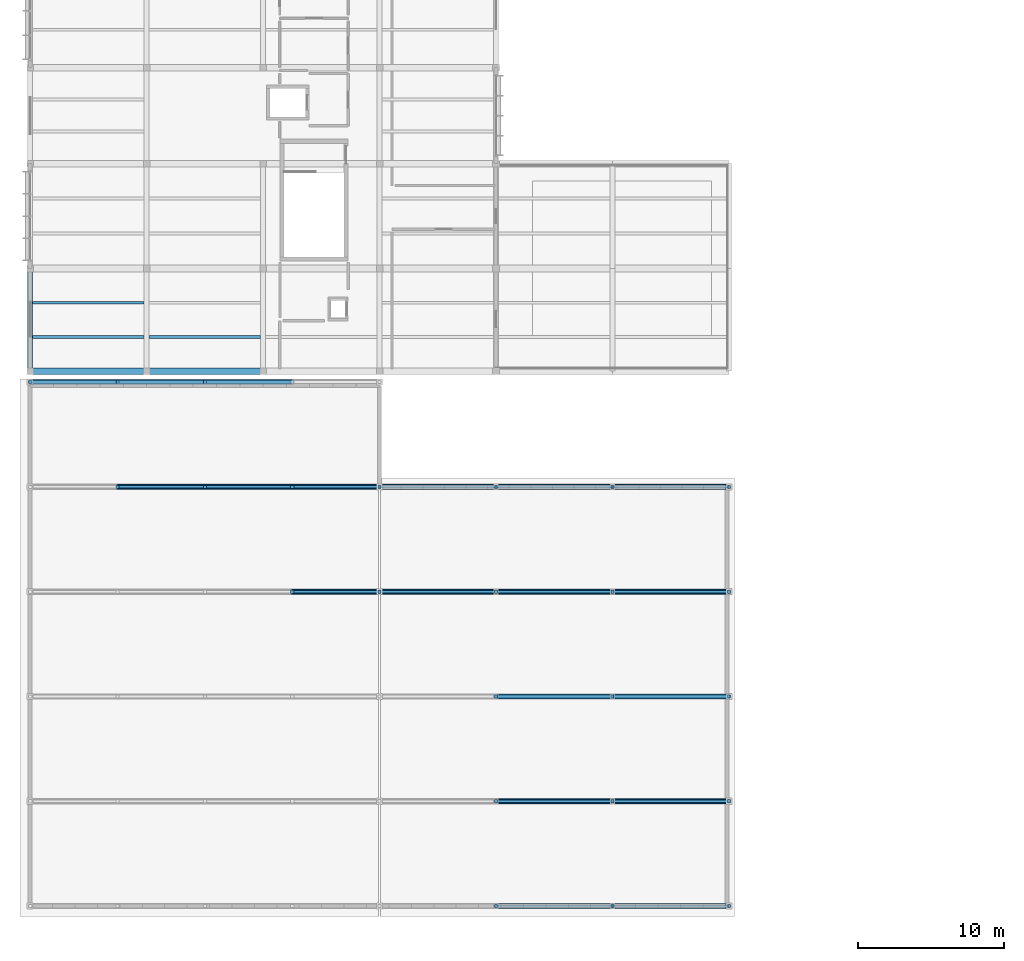
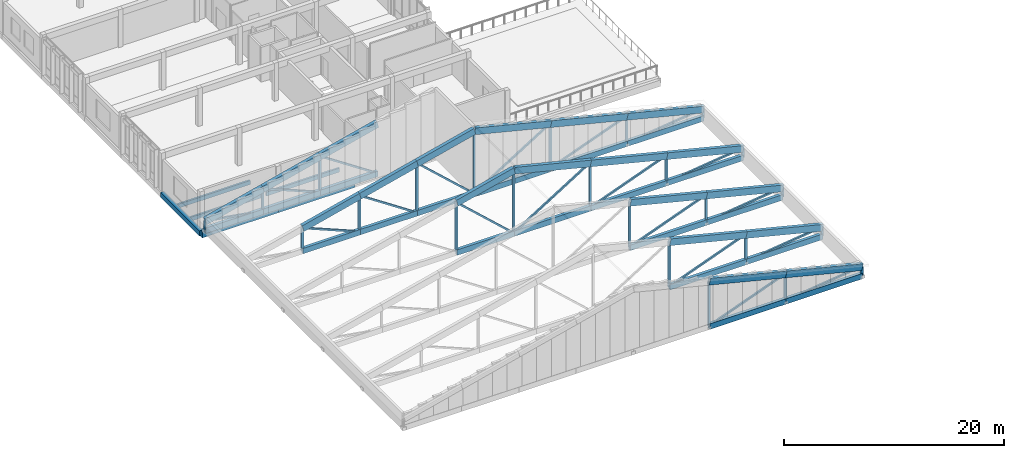
# One storey, part 6 of 107: 81 members, 6 beams.
"""IFC4 building model written with IfcOpenShell, lengths in metres."""

from ifc_helpers import new_model, si_unit, direction, frame, origin, origin_2d, place, context, subcontext, project, spatial, rectangle, extrude, material, material_profile, profile_set, type_object, element, save


model = new_model("IFC4")

# Units and contexts
model_context = context("Model", 3, precision=1e-05, world=origin(), true_north=direction((0.0, 1.0)))
body_context = subcontext(model_context, "Body", "Model", "MODEL_VIEW")
ifc_project = project(units=[si_unit("LENGTHUNIT", "METRE"), si_unit("AREAUNIT", "SQUARE_METRE"), si_unit("VOLUMEUNIT", "CUBIC_METRE"), si_unit("PLANEANGLEUNIT", "RADIAN"), si_unit("MASSUNIT", "GRAM", prefix="KILO")], contexts=[model_context])

# Site, building, storey
site_placement = place(None, origin())
site = spatial("IfcSite", under=ifc_project, at=site_placement, CompositionType="ELEMENT")
building_placement = place(site_placement, origin())
building = spatial("IfcBuilding", under=site, at=building_placement, Name="Chiffa Square Polytechnic", CompositionType="ELEMENT")
storey_placement = place(building_placement, frame((0.0, 0.0, 13.800048828125)))
storey = spatial("IfcBuildingStorey", under=building, at=storey_placement, Name="L03", CompositionType="ELEMENT", Elevation=13.800048828125)

# Beams
ifc_material_1 = material(Name="Concrete C35/45", Category="concrete")
ifc_material_profile_1 = material_profile(ifc_material_1, rectangle(XDim=0.35009765625, YDim=0.550048828125, at=origin_2d()), Name="RC 350x550")
ifc_profile_set_1 = profile_set([ifc_material_profile_1], Name="Concrete C35/45")
beam_type_1 = type_object("IfcBeamType", Name="BM-RC-350X550", PredefinedType="BEAM", material=ifc_profile_set_1)
beam_placement = place(storey_placement, frame((0.0, 36.75, -0.53515625), z_axis=(0.0, 1.0, 0.0), x_axis=(-1.0, 0.0, 0.0)))
element("IfcBeam", 1, at=beam_placement, inside=storey, type_object=beam_type_1, Name="Primary floor girder BM-V6-L03-Y-0000-0368", PredefinedType="BEAM", context=body_context, shape_type="SweptSolid", body=[
    extrude(rectangle(XDim=0.35009765625, YDim=0.550048828125, at=origin_2d()), origin(), (0.0, 0.0, 1.0), 7.050048828125),
])
ifc_material_profile_2 = material_profile(ifc_material_1, rectangle(XDim=0.449951171875, YDim=0.699951171875, at=origin_2d()), Name="RC 450x700")
ifc_profile_set_2 = profile_set([ifc_material_profile_2], Name="Concrete C35/45")
beam_type_2 = type_object("IfcBeamType", Name="BM-RC-450X700", PredefinedType="BEAM", material=ifc_profile_set_2)
for number, where, z_axis, x_axis, name in (
    (2, (0.0, 36.75, -0.610107421875), (1.0, 0.0, 0.0), (0.0, 1.0, 0.0), "Primary floor girder BM-V6-L03-X-0000-0368"),
    (3, (8.0, 36.75, -0.610107421875), (1.0, 0.0, 0.0), (0.0, 1.0, 0.0), "Primary floor girder BM-V6-L03-X-0080-0368"),
):
    element("IfcBeam", number, at=place(storey_placement, frame(where, z_axis=z_axis, x_axis=x_axis)), inside=storey, type_object=beam_type_2, Name=name, PredefinedType="BEAM", context=body_context, shape_type="SweptSolid", body=[
        extrude(rectangle(XDim=0.449951171875, YDim=0.699951171875, at=origin_2d()), origin(), (0.0, 0.0, 1.0), 8.0),
    ])
ifc_material_2 = material(Name="Glulam GL28h", Category="wood")
ifc_material_profile_3 = material_profile(ifc_material_2, rectangle(XDim=0.199951171875, YDim=0.43994140625, at=origin_2d()), Name="GL28h 200x440")
ifc_profile_set_3 = profile_set([ifc_material_profile_3], Name="Glulam GL28h")
beam_type_3 = type_object("IfcBeamType", Name="JST-GL-200X440", PredefinedType="JOIST", material=ifc_profile_set_3)
for number, where, z_axis, x_axis, name in (
    (4, (0.173095703125, 39.10009765625, -0.47998046875), (1.0, 0.0, 0.0), (0.0, 1.0, 0.0), "Secondary floor joist JST-V6-L03-0000-0391"),
    (5, (0.173095703125, 41.449951171875, -0.47998046875), (1.0, 0.0, 0.0), (0.0, 1.0, 0.0), "Secondary floor joist JST-V6-L03-0000-0414"),
    (6, (8.173095703125, 39.10009765625, -0.47998046875), (1.0, 0.0, 0.0), (0.0, 1.0, 0.0), "Secondary floor joist JST-V6-L03-0080-0391"),
):
    element("IfcBeam", number, at=place(storey_placement, frame(where, z_axis=z_axis, x_axis=x_axis)), inside=storey, type_object=beam_type_3, Name=name, PredefinedType="JOIST", context=body_context, shape_type="SweptSolid", body=[
        extrude(rectangle(XDim=0.199951171875, YDim=0.43994140625, at=origin_2d()), origin(), (0.0, 0.0, 1.0), 7.65380859375),
    ])

# Members
ifc_material_3 = material(Name="Glulam GL32c", Category="wood")
ifc_material_profile_4 = material_profile(ifc_material_3, rectangle(XDim=0.320068359375, YDim=0.60009765625, at=origin_2d()), Name="GL32c 320x600")
ifc_profile_set_4 = profile_set([ifc_material_profile_4], Name="Glulam GL32c")
member_type_1 = type_object("IfcMemberType", Name="MEM-CHORD-GL320", PredefinedType="CHORD", material=ifc_profile_set_4)
for number, where, z_axis, x_axis, name in (
    (7, (32.0, 0.0, 0.25), (1.0, 0.0, 0.0), (0.0, 1.0, 0.0), "Symposium glulam truss bottom chord TCB-V3-E01-2"),
    (8, (40.0, 0.0, 0.25), (1.0, 0.0, 0.0), (0.0, 1.0, 0.0), "Symposium glulam truss bottom chord TCB-V3-E01-3"),
    (9, (32.0, 7.199951171875, 0.25), (1.0, 0.0, 0.0), (0.0, 1.0, 0.0), "Symposium glulam truss bottom chord TCB-V3-E02-2"),
    (10, (40.0, 7.199951171875, 0.25), (1.0, 0.0, 0.0), (0.0, 1.0, 0.0), "Symposium glulam truss bottom chord TCB-V3-E02-3"),
    (11, (32.0, 14.39990234375, 0.25), (1.0, 0.0, 0.0), (0.0, 1.0, 0.0), "Symposium glulam truss bottom chord TCB-V3-E03-2"),
    (12, (40.0, 14.39990234375, 0.25), (1.0, 0.0, 0.0), (0.0, 1.0, 0.0), "Symposium glulam truss bottom chord TCB-V3-E03-3"),
):
    element("IfcMember", number, at=place(storey_placement, frame(where, z_axis=z_axis, x_axis=x_axis)), inside=storey, type_object=member_type_1, Name=name, PredefinedType="CHORD", context=body_context, shape_type="SweptSolid", body=[
        extrude(rectangle(XDim=0.320068359375, YDim=0.60009765625, at=origin_2d()), origin(), (0.0, 0.0, 1.0), 8.0),
    ])
member_1_placement = place(storey_placement, frame((18.0, 21.60009765625, 0.25), z_axis=(1.0, 0.0, 0.0), x_axis=(0.0, 1.0, 0.0)))
element("IfcMember", 13, at=member_1_placement, inside=storey, type_object=member_type_1, Name="Lecture glulam truss bottom chord TCB-V3-W04-4", PredefinedType="CHORD", context=body_context, shape_type="SweptSolid", body=[
    extrude(rectangle(XDim=0.320068359375, YDim=0.60009765625, at=origin_2d()), origin(), (0.0, 0.0, 1.0), 6.0),
])
for number, where, z_axis, x_axis, name in (
    (14, (24.0, 21.60009765625, 0.25), (1.0, 0.0, 0.0), (0.0, 1.0, 0.0), "Symposium glulam truss bottom chord TCB-V3-E04-1"),
    (15, (32.0, 21.60009765625, 0.25), (1.0, 0.0, 0.0), (0.0, 1.0, 0.0), "Symposium glulam truss bottom chord TCB-V3-E04-2"),
    (16, (40.0, 21.60009765625, 0.25), (1.0, 0.0, 0.0), (0.0, 1.0, 0.0), "Symposium glulam truss bottom chord TCB-V3-E04-3"),
):
    element("IfcMember", number, at=place(storey_placement, frame(where, z_axis=z_axis, x_axis=x_axis)), inside=storey, type_object=member_type_1, Name=name, PredefinedType="CHORD", context=body_context, shape_type="SweptSolid", body=[
        extrude(rectangle(XDim=0.320068359375, YDim=0.60009765625, at=origin_2d()), origin(), (0.0, 0.0, 1.0), 8.0),
    ])
for number, where, z_axis, x_axis, name in (
    (17, (6.0, 28.800048828125, 0.25), (1.0, 0.0, 0.0), (0.0, 1.0, 0.0), "Lecture glulam truss bottom chord TCB-V3-W05-2"),
    (18, (12.0, 28.800048828125, 0.25), (1.0, 0.0, 0.0), (0.0, 1.0, 0.0), "Lecture glulam truss bottom chord TCB-V3-W05-3"),
    (19, (18.0, 28.800048828125, 0.25), (1.0, 0.0, 0.0), (0.0, 1.0, 0.0), "Lecture glulam truss bottom chord TCB-V3-W05-4"),
):
    element("IfcMember", number, at=place(storey_placement, frame(where, z_axis=z_axis, x_axis=x_axis)), inside=storey, type_object=member_type_1, Name=name, PredefinedType="CHORD", context=body_context, shape_type="SweptSolid", body=[
        extrude(rectangle(XDim=0.320068359375, YDim=0.60009765625, at=origin_2d()), origin(), (0.0, 0.0, 1.0), 6.0),
    ])
for number, where, z_axis, x_axis, name in (
    (20, (24.0, 28.800048828125, 0.25), (1.0, 0.0, 0.0), (0.0, 1.0, 0.0), "Symposium glulam truss bottom chord TCB-V3-E05-1"),
    (21, (32.0, 28.800048828125, 0.25), (1.0, 0.0, 0.0), (0.0, 1.0, 0.0), "Symposium glulam truss bottom chord TCB-V3-E05-2"),
    (22, (40.0, 28.800048828125, 0.25), (1.0, 0.0, 0.0), (0.0, 1.0, 0.0), "Symposium glulam truss bottom chord TCB-V3-E05-3"),
):
    element("IfcMember", number, at=place(storey_placement, frame(where, z_axis=z_axis, x_axis=x_axis)), inside=storey, type_object=member_type_1, Name=name, PredefinedType="CHORD", context=body_context, shape_type="SweptSolid", body=[
        extrude(rectangle(XDim=0.320068359375, YDim=0.60009765625, at=origin_2d()), origin(), (0.0, 0.0, 1.0), 8.0),
    ])
for number, where, z_axis, x_axis, name in (
    (23, (0.0, 36.0, 0.25), (1.0, 0.0, 0.0), (0.0, 1.0, 0.0), "Lecture glulam truss bottom chord TCB-V3-W06-1"),
    (24, (6.0, 36.0, 0.25), (1.0, 0.0, 0.0), (0.0, 1.0, 0.0), "Lecture glulam truss bottom chord TCB-V3-W06-2"),
    (25, (12.0, 36.0, 0.25), (1.0, 0.0, 0.0), (0.0, 1.0, 0.0), "Lecture glulam truss bottom chord TCB-V3-W06-3"),
):
    element("IfcMember", number, at=place(storey_placement, frame(where, z_axis=z_axis, x_axis=x_axis)), inside=storey, type_object=member_type_1, Name=name, PredefinedType="CHORD", context=body_context, shape_type="SweptSolid", body=[
        extrude(rectangle(XDim=0.320068359375, YDim=0.60009765625, at=origin_2d()), origin(), (0.0, 0.0, 1.0), 6.0),
    ])
ifc_material_profile_5 = material_profile(ifc_material_3, rectangle(XDim=0.360107421875, YDim=0.719970703125, at=origin_2d()), Name="GL32c 360x720")
ifc_profile_set_5 = profile_set([ifc_material_profile_5], Name="Glulam GL32c")
member_type_2 = type_object("IfcMemberType", Name="MEM-CHORD-GL360", PredefinedType="CHORD", material=ifc_profile_set_5)
for number, where, z_axis, x_axis, name in (
    (26, (32.0, 0.0, 5.239013671875), (0.970309487424, 0.0, -0.241866695962), (0.0, 1.0, 0.0), "Symposium glulam truss top chord TCT-V3-E01-2"),
    (27, (40.0, 0.0, 3.244873046875), (0.970288636097, 0.0, -0.24195033098), (0.0, 1.0, 0.0), "Symposium glulam truss top chord TCT-V3-E01-3"),
    (28, (32.0, 7.199951171875, 5.239013671875), (0.970309487424, 0.0, -0.241866695962), (0.0, 1.0, 0.0), "Symposium glulam truss top chord TCT-V3-E02-2"),
    (29, (40.0, 7.199951171875, 3.244873046875), (0.970288636097, 0.0, -0.24195033098), (0.0, 1.0, 0.0), "Symposium glulam truss top chord TCT-V3-E02-3"),
    (30, (32.0, 14.39990234375, 5.239013671875), (0.970309487424, 0.0, -0.241866695962), (0.0, 1.0, 0.0), "Symposium glulam truss top chord TCT-V3-E03-2"),
    (31, (40.0, 14.39990234375, 3.244873046875), (0.970288636097, 0.0, -0.24195033098), (0.0, 1.0, 0.0), "Symposium glulam truss top chord TCT-V3-E03-3"),
):
    element("IfcMember", number, at=place(storey_placement, frame(where, z_axis=z_axis, x_axis=x_axis)), inside=storey, type_object=member_type_2, Name=name, PredefinedType="CHORD", context=body_context, shape_type="SweptSolid", body=[
        extrude(rectangle(XDim=0.360107421875, YDim=0.719970703125, at=origin_2d()), origin(), (0.0, 0.0, 1.0), 8.244873046875),
    ])
member_2_placement = place(storey_placement, frame((18.0, 21.60009765625, 5.738037109375), z_axis=(0.970300220947, 0.0, 0.241903867747), x_axis=(0.0, 1.0, 0.0)))
element("IfcMember", 32, at=member_2_placement, inside=storey, type_object=member_type_2, Name="Lecture glulam truss top chord TCT-V3-W04-4", PredefinedType="CHORD", context=body_context, shape_type="SweptSolid", body=[
    extrude(rectangle(XDim=0.360107421875, YDim=0.719970703125, at=origin_2d()), origin(), (0.0, 0.0, 1.0), 6.18359375),
])
for number, where, z_axis, x_axis, name in (
    (33, (24.0, 21.60009765625, 7.23388671875), (0.970288636097, 0.0, -0.24195033098), (0.0, 1.0, 0.0), "Symposium glulam truss top chord TCT-V3-E04-1"),
    (34, (32.0, 21.60009765625, 5.239013671875), (0.970309487424, 0.0, -0.241866695962), (0.0, 1.0, 0.0), "Symposium glulam truss top chord TCT-V3-E04-2"),
    (35, (40.0, 21.60009765625, 3.244873046875), (0.970288636097, 0.0, -0.24195033098), (0.0, 1.0, 0.0), "Symposium glulam truss top chord TCT-V3-E04-3"),
):
    element("IfcMember", number, at=place(storey_placement, frame(where, z_axis=z_axis, x_axis=x_axis)), inside=storey, type_object=member_type_2, Name=name, PredefinedType="CHORD", context=body_context, shape_type="SweptSolid", body=[
        extrude(rectangle(XDim=0.360107421875, YDim=0.719970703125, at=origin_2d()), origin(), (0.0, 0.0, 1.0), 8.244873046875),
    ])
for number, where, z_axis, x_axis, name in (
    (36, (6.0, 28.800048828125, 2.745849609375), (0.970290953223, 0.0, 0.241941038466), (0.0, 1.0, 0.0), "Lecture glulam truss top chord TCT-V3-W05-2"),
    (37, (12.0, 28.800048828125, 4.241943359375), (0.970290953223, 0.0, 0.241941038466), (0.0, 1.0, 0.0), "Lecture glulam truss top chord TCT-V3-W05-3"),
    (38, (18.0, 28.800048828125, 5.738037109375), (0.970300220947, 0.0, 0.241903867747), (0.0, 1.0, 0.0), "Lecture glulam truss top chord TCT-V3-W05-4"),
):
    element("IfcMember", number, at=place(storey_placement, frame(where, z_axis=z_axis, x_axis=x_axis)), inside=storey, type_object=member_type_2, Name=name, PredefinedType="CHORD", context=body_context, shape_type="SweptSolid", body=[
        extrude(rectangle(XDim=0.360107421875, YDim=0.719970703125, at=origin_2d()), origin(), (0.0, 0.0, 1.0), 6.18359375),
    ])
for number, where, z_axis, x_axis, name in (
    (39, (24.0, 28.800048828125, 7.23388671875), (0.970288636097, 0.0, -0.24195033098), (0.0, 1.0, 0.0), "Symposium glulam truss top chord TCT-V3-E05-1"),
    (40, (32.0, 28.800048828125, 5.239013671875), (0.970309487424, 0.0, -0.241866695962), (0.0, 1.0, 0.0), "Symposium glulam truss top chord TCT-V3-E05-2"),
    (41, (40.0, 28.800048828125, 3.244873046875), (0.970288636097, 0.0, -0.24195033098), (0.0, 1.0, 0.0), "Symposium glulam truss top chord TCT-V3-E05-3"),
):
    element("IfcMember", number, at=place(storey_placement, frame(where, z_axis=z_axis, x_axis=x_axis)), inside=storey, type_object=member_type_2, Name=name, PredefinedType="CHORD", context=body_context, shape_type="SweptSolid", body=[
        extrude(rectangle(XDim=0.360107421875, YDim=0.719970703125, at=origin_2d()), origin(), (0.0, 0.0, 1.0), 8.244873046875),
    ])
for number, where, z_axis, x_axis, name in (
    (42, (0.0, 36.0, 1.25), (0.970300220947, 0.0, 0.241903867747), (0.0, 1.0, 0.0), "Lecture glulam truss top chord TCT-V3-W06-1"),
    (43, (6.0, 36.0, 2.745849609375), (0.970290953223, 0.0, 0.241941038466), (0.0, 1.0, 0.0), "Lecture glulam truss top chord TCT-V3-W06-2"),
    (44, (12.0, 36.0, 4.241943359375), (0.970290953223, 0.0, 0.241941038466), (0.0, 1.0, 0.0), "Lecture glulam truss top chord TCT-V3-W06-3"),
):
    element("IfcMember", number, at=place(storey_placement, frame(where, z_axis=z_axis, x_axis=x_axis)), inside=storey, type_object=member_type_2, Name=name, PredefinedType="CHORD", context=body_context, shape_type="SweptSolid", body=[
        extrude(rectangle(XDim=0.360107421875, YDim=0.719970703125, at=origin_2d()), origin(), (0.0, 0.0, 1.0), 6.18359375),
    ])
ifc_material_profile_6 = material_profile(ifc_material_2, rectangle(XDim=0.179931640625, YDim=0.179931640625, at=origin_2d()), Name="GL28h 180x180")
ifc_profile_set_6 = profile_set([ifc_material_profile_6], Name="Glulam GL28h")
member_type_3 = type_object("IfcMemberType", Name="MEM-WEB-GL180", PredefinedType="MEMBER", material=ifc_profile_set_6)
member_3_placement = place(storey_placement, frame((32.0, 0.0, 0.25), z_axis=(0.93652635273, 0.0, 0.350597191435), x_axis=(0.0, 1.0, 0.0)))
element("IfcMember", 45, at=member_3_placement, inside=storey, type_object=member_type_3, Name="Symposium glulam truss diagonal TWD-V3-E01-2", PredefinedType="MEMBER", context=body_context, shape_type="SweptSolid", body=[
    extrude(rectangle(XDim=0.179931640625, YDim=0.179931640625, at=origin_2d()), origin(), (0.0, 0.0, 1.0), 8.542236328125),
])
member_4_placement = place(storey_placement, frame((40.0, 0.0, 0.25), z_axis=(0.992277876714, 0.0, 0.124034734589), x_axis=(0.0, 1.0, 0.0)))
element("IfcMember", 46, at=member_4_placement, inside=storey, type_object=member_type_3, Name="Symposium glulam truss diagonal TWD-V3-E01-3", PredefinedType="MEMBER", context=body_context, shape_type="SweptSolid", body=[
    extrude(rectangle(XDim=0.179931640625, YDim=0.179931640625, at=origin_2d()), origin(), (0.0, 0.0, 1.0), 8.062255859375),
])
member_5_placement = place(storey_placement, frame((32.0, 7.199951171875, 0.25), z_axis=(0.93652635273, 0.0, 0.350597191435), x_axis=(0.0, 1.0, 0.0)))
element("IfcMember", 47, at=member_5_placement, inside=storey, type_object=member_type_3, Name="Symposium glulam truss diagonal TWD-V3-E02-2", PredefinedType="MEMBER", context=body_context, shape_type="SweptSolid", body=[
    extrude(rectangle(XDim=0.179931640625, YDim=0.179931640625, at=origin_2d()), origin(), (0.0, 0.0, 1.0), 8.542236328125),
])
member_6_placement = place(storey_placement, frame((40.0, 7.199951171875, 0.25), z_axis=(0.992277876714, 0.0, 0.124034734589), x_axis=(0.0, 1.0, 0.0)))
element("IfcMember", 48, at=member_6_placement, inside=storey, type_object=member_type_3, Name="Symposium glulam truss diagonal TWD-V3-E02-3", PredefinedType="MEMBER", context=body_context, shape_type="SweptSolid", body=[
    extrude(rectangle(XDim=0.179931640625, YDim=0.179931640625, at=origin_2d()), origin(), (0.0, 0.0, 1.0), 8.062255859375),
])
member_7_placement = place(storey_placement, frame((32.0, 14.39990234375, 0.25), z_axis=(0.93652635273, 0.0, 0.350597191435), x_axis=(0.0, 1.0, 0.0)))
element("IfcMember", 49, at=member_7_placement, inside=storey, type_object=member_type_3, Name="Symposium glulam truss diagonal TWD-V3-E03-2", PredefinedType="MEMBER", context=body_context, shape_type="SweptSolid", body=[
    extrude(rectangle(XDim=0.179931640625, YDim=0.179931640625, at=origin_2d()), origin(), (0.0, 0.0, 1.0), 8.542236328125),
])
member_8_placement = place(storey_placement, frame((40.0, 14.39990234375, 0.25), z_axis=(0.992277876714, 0.0, 0.124034734589), x_axis=(0.0, 1.0, 0.0)))
element("IfcMember", 50, at=member_8_placement, inside=storey, type_object=member_type_3, Name="Symposium glulam truss diagonal TWD-V3-E03-3", PredefinedType="MEMBER", context=body_context, shape_type="SweptSolid", body=[
    extrude(rectangle(XDim=0.179931640625, YDim=0.179931640625, at=origin_2d()), origin(), (0.0, 0.0, 1.0), 8.062255859375),
])
member_9_placement = place(storey_placement, frame((18.0, 21.60009765625, 5.738037109375), z_axis=(0.737886535489, 0.0, -0.674924781545), x_axis=(0.0, 1.0, 0.0)))
element("IfcMember", 51, at=member_9_placement, inside=storey, type_object=member_type_3, Name="Lecture glulam truss diagonal TWD-V3-W04-4", PredefinedType="MEMBER", context=body_context, shape_type="SweptSolid", body=[
    extrude(rectangle(XDim=0.179931640625, YDim=0.179931640625, at=origin_2d()), origin(), (0.0, 0.0, 1.0), 8.13134765625),
])
member_10_placement = place(storey_placement, frame((24.0, 21.60009765625, 0.25), z_axis=(0.848521605549, 0.0, 0.529160736371), x_axis=(0.0, 1.0, 0.0)))
element("IfcMember", 52, at=member_10_placement, inside=storey, type_object=member_type_3, Name="Symposium glulam truss diagonal TWD-V3-E04-1", PredefinedType="MEMBER", context=body_context, shape_type="SweptSolid", body=[
    extrude(rectangle(XDim=0.179931640625, YDim=0.179931640625, at=origin_2d()), origin(), (0.0, 0.0, 1.0), 9.42822265625),
])
member_11_placement = place(storey_placement, frame((32.0, 21.60009765625, 0.25), z_axis=(0.93652635273, 0.0, 0.350597191435), x_axis=(0.0, 1.0, 0.0)))
element("IfcMember", 53, at=member_11_placement, inside=storey, type_object=member_type_3, Name="Symposium glulam truss diagonal TWD-V3-E04-2", PredefinedType="MEMBER", context=body_context, shape_type="SweptSolid", body=[
    extrude(rectangle(XDim=0.179931640625, YDim=0.179931640625, at=origin_2d()), origin(), (0.0, 0.0, 1.0), 8.542236328125),
])
member_12_placement = place(storey_placement, frame((40.0, 21.60009765625, 0.25), z_axis=(0.992277876714, 0.0, 0.124034734589), x_axis=(0.0, 1.0, 0.0)))
element("IfcMember", 54, at=member_12_placement, inside=storey, type_object=member_type_3, Name="Symposium glulam truss diagonal TWD-V3-E04-3", PredefinedType="MEMBER", context=body_context, shape_type="SweptSolid", body=[
    extrude(rectangle(XDim=0.179931640625, YDim=0.179931640625, at=origin_2d()), origin(), (0.0, 0.0, 1.0), 8.062255859375),
])
member_13_placement = place(storey_placement, frame((6.0, 28.800048828125, 2.745849609375), z_axis=(0.923303512379, 0.0, -0.384071118451), x_axis=(0.0, 1.0, 0.0)))
element("IfcMember", 55, at=member_13_placement, inside=storey, type_object=member_type_3, Name="Lecture glulam truss diagonal TWD-V3-W05-2", PredefinedType="MEMBER", context=body_context, shape_type="SweptSolid", body=[
    extrude(rectangle(XDim=0.179931640625, YDim=0.179931640625, at=origin_2d()), origin(), (0.0, 0.0, 1.0), 6.498291015625),
])
member_14_placement = place(storey_placement, frame((12.0, 28.800048828125, 4.241943359375), z_axis=(0.83256591009, 0.0, -0.553925992671), x_axis=(0.0, 1.0, 0.0)))
element("IfcMember", 56, at=member_14_placement, inside=storey, type_object=member_type_3, Name="Lecture glulam truss diagonal TWD-V3-W05-3", PredefinedType="MEMBER", context=body_context, shape_type="SweptSolid", body=[
    extrude(rectangle(XDim=0.179931640625, YDim=0.179931640625, at=origin_2d()), origin(), (0.0, 0.0, 1.0), 7.20654296875),
])
member_15_placement = place(storey_placement, frame((18.0, 28.800048828125, 5.738037109375), z_axis=(0.737886535489, 0.0, -0.674924781545), x_axis=(0.0, 1.0, 0.0)))
element("IfcMember", 57, at=member_15_placement, inside=storey, type_object=member_type_3, Name="Lecture glulam truss diagonal TWD-V3-W05-4", PredefinedType="MEMBER", context=body_context, shape_type="SweptSolid", body=[
    extrude(rectangle(XDim=0.179931640625, YDim=0.179931640625, at=origin_2d()), origin(), (0.0, 0.0, 1.0), 8.13134765625),
])
member_16_placement = place(storey_placement, frame((24.0, 28.800048828125, 0.25), z_axis=(0.848521605549, 0.0, 0.529160736371), x_axis=(0.0, 1.0, 0.0)))
element("IfcMember", 58, at=member_16_placement, inside=storey, type_object=member_type_3, Name="Symposium glulam truss diagonal TWD-V3-E05-1", PredefinedType="MEMBER", context=body_context, shape_type="SweptSolid", body=[
    extrude(rectangle(XDim=0.179931640625, YDim=0.179931640625, at=origin_2d()), origin(), (0.0, 0.0, 1.0), 9.42822265625),
])
member_17_placement = place(storey_placement, frame((32.0, 28.800048828125, 0.25), z_axis=(0.93652635273, 0.0, 0.350597191435), x_axis=(0.0, 1.0, 0.0)))
element("IfcMember", 59, at=member_17_placement, inside=storey, type_object=member_type_3, Name="Symposium glulam truss diagonal TWD-V3-E05-2", PredefinedType="MEMBER", context=body_context, shape_type="SweptSolid", body=[
    extrude(rectangle(XDim=0.179931640625, YDim=0.179931640625, at=origin_2d()), origin(), (0.0, 0.0, 1.0), 8.542236328125),
])
member_18_placement = place(storey_placement, frame((40.0, 28.800048828125, 0.25), z_axis=(0.992277876714, 0.0, 0.124034734589), x_axis=(0.0, 1.0, 0.0)))
element("IfcMember", 60, at=member_18_placement, inside=storey, type_object=member_type_3, Name="Symposium glulam truss diagonal TWD-V3-E05-3", PredefinedType="MEMBER", context=body_context, shape_type="SweptSolid", body=[
    extrude(rectangle(XDim=0.179931640625, YDim=0.179931640625, at=origin_2d()), origin(), (0.0, 0.0, 1.0), 8.062255859375),
])
member_19_placement = place(storey_placement, frame((0.0, 36.0, 1.25), z_axis=(0.986393923832, 0.0, -0.164398987305), x_axis=(0.0, 1.0, 0.0)))
element("IfcMember", 61, at=member_19_placement, inside=storey, type_object=member_type_3, Name="Lecture glulam truss diagonal TWD-V3-W06-1", PredefinedType="MEMBER", context=body_context, shape_type="SweptSolid", body=[
    extrude(rectangle(XDim=0.179931640625, YDim=0.179931640625, at=origin_2d()), origin(), (0.0, 0.0, 1.0), 6.082763671875),
])
member_20_placement = place(storey_placement, frame((6.0, 36.0, 2.745849609375), z_axis=(0.923303512379, 0.0, -0.384071118451), x_axis=(0.0, 1.0, 0.0)))
element("IfcMember", 62, at=member_20_placement, inside=storey, type_object=member_type_3, Name="Lecture glulam truss diagonal TWD-V3-W06-2", PredefinedType="MEMBER", context=body_context, shape_type="SweptSolid", body=[
    extrude(rectangle(XDim=0.179931640625, YDim=0.179931640625, at=origin_2d()), origin(), (0.0, 0.0, 1.0), 6.498291015625),
])
member_21_placement = place(storey_placement, frame((12.0, 36.0, 4.241943359375), z_axis=(0.83256591009, 0.0, -0.553925992671), x_axis=(0.0, 1.0, 0.0)))
element("IfcMember", 63, at=member_21_placement, inside=storey, type_object=member_type_3, Name="Lecture glulam truss diagonal TWD-V3-W06-3", PredefinedType="MEMBER", context=body_context, shape_type="SweptSolid", body=[
    extrude(rectangle(XDim=0.179931640625, YDim=0.179931640625, at=origin_2d()), origin(), (0.0, 0.0, 1.0), 7.20654296875),
])
ifc_material_profile_7 = material_profile(ifc_material_2, rectangle(XDim=0.219970703125, YDim=0.219970703125, at=origin_2d()), Name="GL28h 220x220")
ifc_profile_set_7 = profile_set([ifc_material_profile_7], Name="Glulam GL28h")
member_type_4 = type_object("IfcMemberType", Name="MEM-WEB-GL220", PredefinedType="MEMBER", material=ifc_profile_set_7)
member_22_placement = place(storey_placement, frame((32.0, 0.0, 0.25), z_axis=(0.0, 0.0, 1.0), x_axis=(1.0, 0.0, 0.0)))
element("IfcMember", 64, at=member_22_placement, inside=storey, type_object=member_type_4, Name="Symposium glulam truss vertical TWV-V3-E01-2", PredefinedType="MEMBER", context=body_context, shape_type="SweptSolid", body=[
    extrude(rectangle(XDim=0.219970703125, YDim=0.219970703125, at=origin_2d()), origin(), (0.0, 0.0, 1.0), 4.989013671875),
])
member_23_placement = place(storey_placement, frame((40.0, 0.0, 0.25), z_axis=(0.0, 0.0, 1.0), x_axis=(1.0, 0.0, 0.0)))
element("IfcMember", 65, at=member_23_placement, inside=storey, type_object=member_type_4, Name="Symposium glulam truss vertical TWV-V3-E01-3", PredefinedType="MEMBER", context=body_context, shape_type="SweptSolid", body=[
    extrude(rectangle(XDim=0.219970703125, YDim=0.219970703125, at=origin_2d()), origin(), (0.0, 0.0, 1.0), 2.994873046875),
])
member_24_placement = place(storey_placement, frame((48.0, 0.0, 0.25), z_axis=(0.0, 0.0, 1.0), x_axis=(1.0, 0.0, 0.0)))
element("IfcMember", 66, at=member_24_placement, inside=storey, type_object=member_type_4, Name="Symposium glulam truss vertical TWV-V3-E01-4", PredefinedType="MEMBER", context=body_context, shape_type="SweptSolid", body=[
    extrude(rectangle(XDim=0.219970703125, YDim=0.219970703125, at=origin_2d()), origin(), (0.0, 0.0, 1.0), 1.0),
])
member_25_placement = place(storey_placement, frame((32.0, 7.199951171875, 0.25), z_axis=(0.0, 0.0, 1.0), x_axis=(1.0, 0.0, 0.0)))
element("IfcMember", 67, at=member_25_placement, inside=storey, type_object=member_type_4, Name="Symposium glulam truss vertical TWV-V3-E02-2", PredefinedType="MEMBER", context=body_context, shape_type="SweptSolid", body=[
    extrude(rectangle(XDim=0.219970703125, YDim=0.219970703125, at=origin_2d()), origin(), (0.0, 0.0, 1.0), 4.989013671875),
])
member_26_placement = place(storey_placement, frame((40.0, 7.199951171875, 0.25), z_axis=(0.0, 0.0, 1.0), x_axis=(1.0, 0.0, 0.0)))
element("IfcMember", 68, at=member_26_placement, inside=storey, type_object=member_type_4, Name="Symposium glulam truss vertical TWV-V3-E02-3", PredefinedType="MEMBER", context=body_context, shape_type="SweptSolid", body=[
    extrude(rectangle(XDim=0.219970703125, YDim=0.219970703125, at=origin_2d()), origin(), (0.0, 0.0, 1.0), 2.994873046875),
])
member_27_placement = place(storey_placement, frame((48.0, 7.199951171875, 0.25), z_axis=(0.0, 0.0, 1.0), x_axis=(1.0, 0.0, 0.0)))
element("IfcMember", 69, at=member_27_placement, inside=storey, type_object=member_type_4, Name="Symposium glulam truss vertical TWV-V3-E02-4", PredefinedType="MEMBER", context=body_context, shape_type="SweptSolid", body=[
    extrude(rectangle(XDim=0.219970703125, YDim=0.219970703125, at=origin_2d()), origin(), (0.0, 0.0, 1.0), 1.0),
])
member_28_placement = place(storey_placement, frame((32.0, 14.39990234375, 0.25), z_axis=(0.0, 0.0, 1.0), x_axis=(1.0, 0.0, 0.0)))
element("IfcMember", 70, at=member_28_placement, inside=storey, type_object=member_type_4, Name="Symposium glulam truss vertical TWV-V3-E03-2", PredefinedType="MEMBER", context=body_context, shape_type="SweptSolid", body=[
    extrude(rectangle(XDim=0.219970703125, YDim=0.219970703125, at=origin_2d()), origin(), (0.0, 0.0, 1.0), 4.989013671875),
])
member_29_placement = place(storey_placement, frame((40.0, 14.39990234375, 0.25), z_axis=(0.0, 0.0, 1.0), x_axis=(1.0, 0.0, 0.0)))
element("IfcMember", 71, at=member_29_placement, inside=storey, type_object=member_type_4, Name="Symposium glulam truss vertical TWV-V3-E03-3", PredefinedType="MEMBER", context=body_context, shape_type="SweptSolid", body=[
    extrude(rectangle(XDim=0.219970703125, YDim=0.219970703125, at=origin_2d()), origin(), (0.0, 0.0, 1.0), 2.994873046875),
])
member_30_placement = place(storey_placement, frame((48.0, 14.39990234375, 0.25), z_axis=(0.0, 0.0, 1.0), x_axis=(1.0, 0.0, 0.0)))
element("IfcMember", 72, at=member_30_placement, inside=storey, type_object=member_type_4, Name="Symposium glulam truss vertical TWV-V3-E03-4", PredefinedType="MEMBER", context=body_context, shape_type="SweptSolid", body=[
    extrude(rectangle(XDim=0.219970703125, YDim=0.219970703125, at=origin_2d()), origin(), (0.0, 0.0, 1.0), 1.0),
])
member_31_placement = place(storey_placement, frame((18.0, 21.60009765625, 0.25), z_axis=(0.0, 0.0, 1.0), x_axis=(1.0, 0.0, 0.0)))
element("IfcMember", 73, at=member_31_placement, inside=storey, type_object=member_type_4, Name="Lecture glulam truss vertical TWV-V3-W04-4", PredefinedType="MEMBER", context=body_context, shape_type="SweptSolid", body=[
    extrude(rectangle(XDim=0.219970703125, YDim=0.219970703125, at=origin_2d()), origin(), (0.0, 0.0, 1.0), 5.488037109375),
])
member_32_placement = place(storey_placement, frame((24.0, 21.60009765625, 0.25), z_axis=(0.0, 0.0, 1.0), x_axis=(1.0, 0.0, 0.0)))
element("IfcMember", 74, at=member_32_placement, inside=storey, type_object=member_type_4, Name="Lecture glulam truss vertical TWV-V3-W04-5", PredefinedType="MEMBER", context=body_context, shape_type="SweptSolid", body=[
    extrude(rectangle(XDim=0.219970703125, YDim=0.219970703125, at=origin_2d()), origin(), (0.0, 0.0, 1.0), 6.98388671875),
])
member_33_placement = place(storey_placement, frame((32.0, 21.60009765625, 0.25), z_axis=(0.0, 0.0, 1.0), x_axis=(1.0, 0.0, 0.0)))
element("IfcMember", 75, at=member_33_placement, inside=storey, type_object=member_type_4, Name="Symposium glulam truss vertical TWV-V3-E04-2", PredefinedType="MEMBER", context=body_context, shape_type="SweptSolid", body=[
    extrude(rectangle(XDim=0.219970703125, YDim=0.219970703125, at=origin_2d()), origin(), (0.0, 0.0, 1.0), 4.989013671875),
])
member_34_placement = place(storey_placement, frame((40.0, 21.60009765625, 0.25), z_axis=(0.0, 0.0, 1.0), x_axis=(1.0, 0.0, 0.0)))
element("IfcMember", 76, at=member_34_placement, inside=storey, type_object=member_type_4, Name="Symposium glulam truss vertical TWV-V3-E04-3", PredefinedType="MEMBER", context=body_context, shape_type="SweptSolid", body=[
    extrude(rectangle(XDim=0.219970703125, YDim=0.219970703125, at=origin_2d()), origin(), (0.0, 0.0, 1.0), 2.994873046875),
])
member_35_placement = place(storey_placement, frame((48.0, 21.60009765625, 0.25), z_axis=(0.0, 0.0, 1.0), x_axis=(1.0, 0.0, 0.0)))
element("IfcMember", 77, at=member_35_placement, inside=storey, type_object=member_type_4, Name="Symposium glulam truss vertical TWV-V3-E04-4", PredefinedType="MEMBER", context=body_context, shape_type="SweptSolid", body=[
    extrude(rectangle(XDim=0.219970703125, YDim=0.219970703125, at=origin_2d()), origin(), (0.0, 0.0, 1.0), 1.0),
])
member_36_placement = place(storey_placement, frame((6.0, 28.800048828125, 0.25), z_axis=(0.0, 0.0, 1.0), x_axis=(1.0, 0.0, 0.0)))
element("IfcMember", 78, at=member_36_placement, inside=storey, type_object=member_type_4, Name="Lecture glulam truss vertical TWV-V3-W05-2", PredefinedType="MEMBER", context=body_context, shape_type="SweptSolid", body=[
    extrude(rectangle(XDim=0.219970703125, YDim=0.219970703125, at=origin_2d()), origin(), (0.0, 0.0, 1.0), 2.495849609375),
])
member_37_placement = place(storey_placement, frame((12.0, 28.800048828125, 0.25), z_axis=(0.0, 0.0, 1.0), x_axis=(1.0, 0.0, 0.0)))
element("IfcMember", 79, at=member_37_placement, inside=storey, type_object=member_type_4, Name="Lecture glulam truss vertical TWV-V3-W05-3", PredefinedType="MEMBER", context=body_context, shape_type="SweptSolid", body=[
    extrude(rectangle(XDim=0.219970703125, YDim=0.219970703125, at=origin_2d()), origin(), (0.0, 0.0, 1.0), 3.991943359375),
])
member_38_placement = place(storey_placement, frame((18.0, 28.800048828125, 0.25), z_axis=(0.0, 0.0, 1.0), x_axis=(1.0, 0.0, 0.0)))
element("IfcMember", 80, at=member_38_placement, inside=storey, type_object=member_type_4, Name="Lecture glulam truss vertical TWV-V3-W05-4", PredefinedType="MEMBER", context=body_context, shape_type="SweptSolid", body=[
    extrude(rectangle(XDim=0.219970703125, YDim=0.219970703125, at=origin_2d()), origin(), (0.0, 0.0, 1.0), 5.488037109375),
])
member_39_placement = place(storey_placement, frame((24.0, 28.800048828125, 0.25), z_axis=(0.0, 0.0, 1.0), x_axis=(1.0, 0.0, 0.0)))
element("IfcMember", 81, at=member_39_placement, inside=storey, type_object=member_type_4, Name="Lecture glulam truss vertical TWV-V3-W05-5", PredefinedType="MEMBER", context=body_context, shape_type="SweptSolid", body=[
    extrude(rectangle(XDim=0.219970703125, YDim=0.219970703125, at=origin_2d()), origin(), (0.0, 0.0, 1.0), 6.98388671875),
])
member_40_placement = place(storey_placement, frame((32.0, 28.800048828125, 0.25), z_axis=(0.0, 0.0, 1.0), x_axis=(1.0, 0.0, 0.0)))
element("IfcMember", 82, at=member_40_placement, inside=storey, type_object=member_type_4, Name="Symposium glulam truss vertical TWV-V3-E05-2", PredefinedType="MEMBER", context=body_context, shape_type="SweptSolid", body=[
    extrude(rectangle(XDim=0.219970703125, YDim=0.219970703125, at=origin_2d()), origin(), (0.0, 0.0, 1.0), 4.989013671875),
])
member_41_placement = place(storey_placement, frame((40.0, 28.800048828125, 0.25), z_axis=(0.0, 0.0, 1.0), x_axis=(1.0, 0.0, 0.0)))
element("IfcMember", 83, at=member_41_placement, inside=storey, type_object=member_type_4, Name="Symposium glulam truss vertical TWV-V3-E05-3", PredefinedType="MEMBER", context=body_context, shape_type="SweptSolid", body=[
    extrude(rectangle(XDim=0.219970703125, YDim=0.219970703125, at=origin_2d()), origin(), (0.0, 0.0, 1.0), 2.994873046875),
])
for number, where, z_axis, x_axis, name in (
    (84, (48.0, 28.800048828125, 0.25), (0.0, 0.0, 1.0), (1.0, 0.0, 0.0), "Symposium glulam truss vertical TWV-V3-E05-4"),
    (85, (0.0, 36.0, 0.25), (0.0, 0.0, 1.0), (1.0, 0.0, 0.0), "Lecture glulam truss vertical TWV-V3-W06-1"),
):
    element("IfcMember", number, at=place(storey_placement, frame(where, z_axis=z_axis, x_axis=x_axis)), inside=storey, type_object=member_type_4, Name=name, PredefinedType="MEMBER", context=body_context, shape_type="SweptSolid", body=[
        extrude(rectangle(XDim=0.219970703125, YDim=0.219970703125, at=origin_2d()), origin(), (0.0, 0.0, 1.0), 1.0),
    ])
member_42_placement = place(storey_placement, frame((6.0, 36.0, 0.25), z_axis=(0.0, 0.0, 1.0), x_axis=(1.0, 0.0, 0.0)))
element("IfcMember", 86, at=member_42_placement, inside=storey, type_object=member_type_4, Name="Lecture glulam truss vertical TWV-V3-W06-2", PredefinedType="MEMBER", context=body_context, shape_type="SweptSolid", body=[
    extrude(rectangle(XDim=0.219970703125, YDim=0.219970703125, at=origin_2d()), origin(), (0.0, 0.0, 1.0), 2.495849609375),
])
member_43_placement = place(storey_placement, frame((12.0, 36.0, 0.25), z_axis=(0.0, 0.0, 1.0), x_axis=(1.0, 0.0, 0.0)))
element("IfcMember", 87, at=member_43_placement, inside=storey, type_object=member_type_4, Name="Lecture glulam truss vertical TWV-V3-W06-3", PredefinedType="MEMBER", context=body_context, shape_type="SweptSolid", body=[
    extrude(rectangle(XDim=0.219970703125, YDim=0.219970703125, at=origin_2d()), origin(), (0.0, 0.0, 1.0), 3.991943359375),
])

save(model, "model.ifc")
